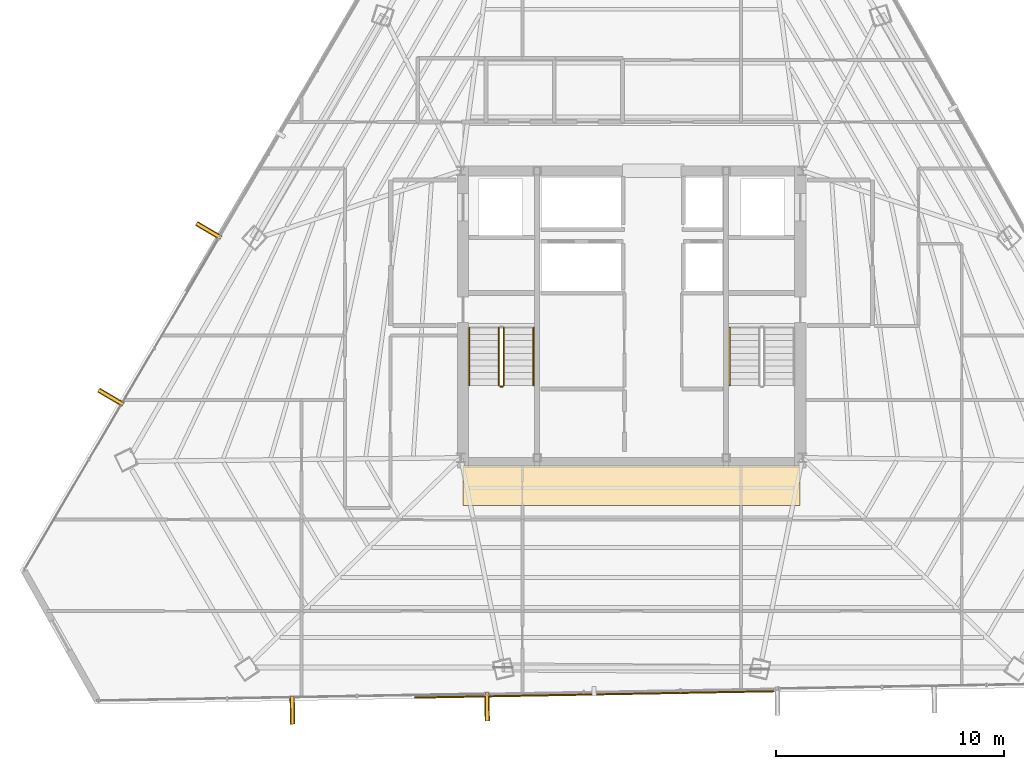
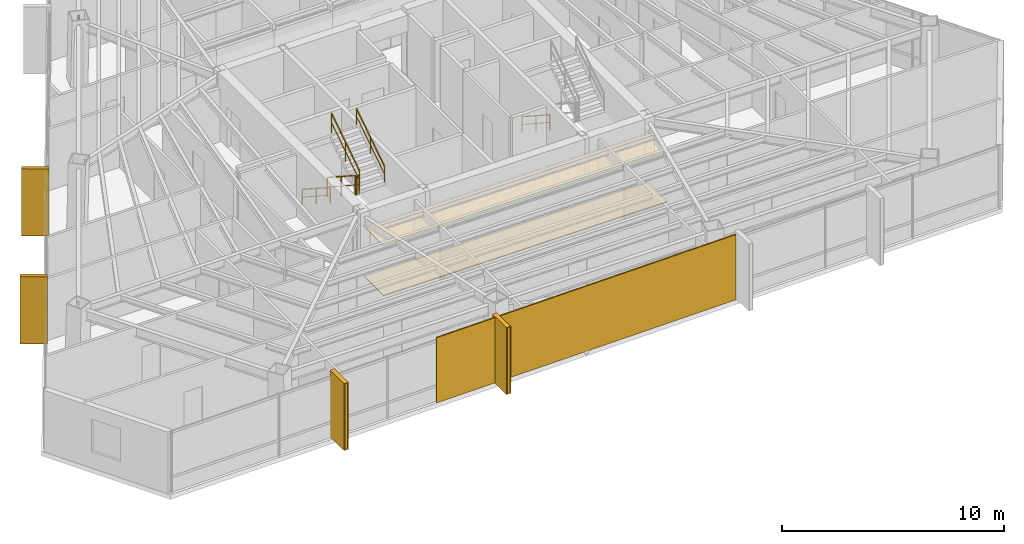
# One storey, part 39 of 42: 6 coverings, 6 railings, 5 shading devices.
"""IFC4 building model written with IfcOpenShell, lengths in metres."""

from ifc_helpers import new_model, si_unit, direction, frame, origin, origin_2d, place, context, subcontext, project, spatial, polyline, rectangle, outline, extrude, source, transform, mapped, material, layer, layer_set, type_object, type_shapes, element, save


model = new_model("IFC4")

# Units and contexts
model_context = context("Model", 3, precision=1e-05, world=origin(), true_north=direction((0.0, 1.0)))
body_context = subcontext(model_context, "Body", "Model", "MODEL_VIEW")
ifc_project = project(units=[si_unit("LENGTHUNIT", "METRE"), si_unit("AREAUNIT", "SQUARE_METRE"), si_unit("VOLUMEUNIT", "CUBIC_METRE"), si_unit("PLANEANGLEUNIT", "RADIAN"), si_unit("MASSUNIT", "GRAM", prefix="KILO")], contexts=[model_context])

# Site, building, storey
site_placement = place(None, origin())
site = spatial("IfcSite", under=ifc_project, at=site_placement, CompositionType="ELEMENT")
building_placement = place(site_placement, origin())
building = spatial("IfcBuilding", under=site, at=building_placement, Name="Caelisora Broadcast Tower", CompositionType="ELEMENT")
storey_placement = place(building_placement, frame((0.0, 0.0, 195.0)))
storey = spatial("IfcBuildingStorey", under=building, at=storey_placement, Name="L51", CompositionType="ELEMENT", Elevation=195.0)

# Coverings
ifc_material_1 = material(Name="Perforated Mineral-Fibre Acoustic Ceiling Tile", Category="gypsum")
ifc_layer_1 = layer(ifc_material_1, 0.034912109375, Name="Perforated Mineral-Fibre Acoustic Ceiling Tile")
ifc_layer_set_1 = layer_set([ifc_layer_1], Name="Perforated Mineral-Fibre Acoustic Ceiling Tile")
covering_type_1 = type_object("IfcCoveringType", Name="CE-1", PredefinedType="CEILING", material=ifc_layer_set_1)
covering_1_placement = place(storey_placement, frame((0.0, 0.0, 2.75)))
element("IfcCovering", 1, at=covering_1_placement, inside=storey, type_object=covering_type_1, Name="L51 acoustic corridor ceiling CE-1 (S)", PredefinedType="CEILING", context=body_context, shape_type="SweptSolid", body=[
    extrude(outline(polyline([(30.60009765625, 15.300048828125), (45.39990234375, 15.300048828125), (45.39990234375, 17.050048828125), (30.60009765625, 17.050048828125), (30.60009765625, 15.300048828125)])), origin(), (0.0, 0.0, 1.0), 0.034912109375),
])
ifc_material_2 = material(Name="Anti-Static Broadcast Raised Access Floor Panel", Category="steel")
ifc_layer_2 = layer(ifc_material_2, 0.044921875, Name="Anti-Static Broadcast Raised Access Floor Panel")
ifc_layer_set_2 = layer_set([ifc_layer_2], Name="Anti-Static Broadcast Raised Access Floor Panel")
covering_type_2 = type_object("IfcCoveringType", Name="FL-1", PredefinedType="FLOORING", material=ifc_layer_set_2)
covering_2_placement = place(storey_placement, origin())
element("IfcCovering", 2, at=covering_2_placement, inside=storey, type_object=covering_type_2, Name="L51 broadcast raised access floor FL-1 (S)", PredefinedType="FLOORING", context=body_context, shape_type="SweptSolid", body=[
    extrude(outline(polyline([(30.60009765625, 15.300048828125), (45.39990234375, 15.300048828125), (45.39990234375, 17.050048828125), (30.60009765625, 17.050048828125), (30.60009765625, 15.300048828125)])), origin(), (0.0, 0.0, 1.0), 0.044921875),
])

# Railings
ifc_material_3 = material(Name="Galvanised Steel Safety Guardrail", Category="steel")
ifc_layer_3 = layer(ifc_material_3, 0.048095703125, Name="Galvanised Steel Safety Guardrail")
ifc_layer_set_3 = layer_set([ifc_layer_3], Name="Galvanised Steel Safety Guardrail")
railing_type_1 = type_object("IfcRailingType", Name="GR-1", PredefinedType="GUARDRAIL", material=ifc_layer_set_3)
railing_1_placement = place(storey_placement, frame((32.169921875, 23.10009765625, 0.1826171875)))
element("IfcRailing", 3, at=railing_1_placement, inside=storey, type_object=railing_type_1, Name="L51 ST-1 stair guard 1", PredefinedType="GUARDRAIL", context=body_context, shape_type="SweptSolid", body=[
    extrude(rectangle(XDim=0.048095703125, YDim=0.048095703125, at=origin_2d()), frame((0.0, 0.0, 1.076171875), z_axis=(0.0, -0.837786554691, 0.545997883492), x_axis=(1.0, 0.0, 0.0)), (0.0, 0.0, 1.0), 3.008056640625),
    extrude(rectangle(XDim=0.03125, YDim=0.03125, at=origin_2d()), frame((0.0, 0.0, 0.550048828125), z_axis=(0.0, -0.837786554691, 0.545997883492), x_axis=(1.0, 0.0, 0.0)), (0.0, 0.0, 1.0), 3.008056640625),
    extrude(rectangle(XDim=0.0419921875, YDim=0.0419921875, at=origin_2d()), origin(), (0.0, 0.0, 1.0), 1.052001953125),
    extrude(rectangle(XDim=0.0419921875, YDim=0.0419921875, at=origin_2d()), frame((0.0, -1.260009765625, 0.8212890625)), (0.0, 0.0, 1.0), 1.052001953125),
    extrude(rectangle(XDim=0.0419921875, YDim=0.0419921875, at=origin_2d()), frame((0.0, -2.52001953125, 1.642333984375)), (0.0, 0.0, 1.0), 1.052001953125),
])
railing_2_placement = place(storey_placement, frame((32.219970703125, 20.530029296875, 1.824951171875)))
element("IfcRailing", 4, at=railing_2_placement, inside=storey, type_object=railing_type_1, Name="L51 ST-1 stair guard 2", PredefinedType="GUARDRAIL", context=body_context, shape_type="SweptSolid", body=[
    extrude(rectangle(XDim=0.048095703125, YDim=0.048095703125, at=origin_2d()), frame((0.0, 0.0, 1.076171875), z_axis=(1.0, 0.0, 0.0), x_axis=(0.0, 1.0, 0.0)), (0.0, 0.0, 1.0), 0.1201171875),
    extrude(rectangle(XDim=0.03125, YDim=0.03125, at=origin_2d()), frame((0.0, 0.0, 0.550048828125), z_axis=(1.0, 0.0, 0.0), x_axis=(0.0, 1.0, 0.0)), (0.0, 0.0, 1.0), 0.1201171875),
    extrude(rectangle(XDim=0.0419921875, YDim=0.0419921875, at=origin_2d()), origin(), (0.0, 0.0, 1.0), 1.052001953125),
    extrude(rectangle(XDim=0.0419921875, YDim=0.0419921875, at=origin_2d()), frame((0.1201171875, 0.0, 0.0)), (0.0, 0.0, 1.0), 1.052001953125),
])
railing_3_placement = place(storey_placement, frame((32.389892578125, 20.580078125, 2.007568359375)))
element("IfcRailing", 5, at=railing_3_placement, inside=storey, type_object=railing_type_1, Name="L51 ST-1 stair guard 3", PredefinedType="GUARDRAIL", context=body_context, shape_type="SweptSolid", body=[
    extrude(rectangle(XDim=0.048095703125, YDim=0.048095703125, at=origin_2d()), frame((0.0, 0.0, 1.076171875), z_axis=(0.0, 0.837786554691, 0.545997883492), x_axis=(-1.0, 0.0, 0.0)), (0.0, 0.0, 1.0), 3.008056640625),
    extrude(rectangle(XDim=0.03125, YDim=0.03125, at=origin_2d()), frame((0.0, 0.0, 0.550048828125), z_axis=(0.0, 0.837786554691, 0.545997883492), x_axis=(-1.0, 0.0, 0.0)), (0.0, 0.0, 1.0), 3.008056640625),
    extrude(rectangle(XDim=0.0419921875, YDim=0.0419921875, at=origin_2d()), origin(), (0.0, 0.0, 1.0), 1.052001953125),
    extrude(rectangle(XDim=0.0419921875, YDim=0.0419921875, at=origin_2d()), frame((0.0, 1.260009765625, 0.8212890625)), (0.0, 0.0, 1.0), 1.052001953125),
    extrude(rectangle(XDim=0.0419921875, YDim=0.0419921875, at=origin_2d()), frame((0.0, 2.52001953125, 1.642333984375)), (0.0, 0.0, 1.0), 1.052001953125),
])
ifc_material_4 = material(Name="Stainless Steel Grade 316 Tubular Handrail", Category="steel")
ifc_layer_4 = layer(ifc_material_4, 0.048095703125, Name="Stainless Steel Grade 316 Tubular Handrail")
ifc_layer_set_4 = layer_set([ifc_layer_4], Name="Stainless Steel Grade 316 Tubular Handrail")
railing_type_2 = type_object("IfcRailingType", Name="HR-1", PredefinedType="HANDRAIL", material=ifc_layer_set_4)
railing_4_placement = place(storey_placement, frame((30.8701171875, 23.10009765625, 0.1826171875)))
element("IfcRailing", 6, at=railing_4_placement, inside=storey, type_object=railing_type_2, Name="L51 ST-1 stair handrail 1", PredefinedType="HANDRAIL", context=body_context, shape_type="SweptSolid", body=[
    extrude(rectangle(XDim=0.048095703125, YDim=0.048095703125, at=origin_2d()), frame((0.0, 0.0, 0.8759765625), z_axis=(0.0, -0.837786554691, 0.545997883492), x_axis=(1.0, 0.0, 0.0)), (0.0, 0.0, 1.0), 3.008056640625),
    extrude(rectangle(XDim=0.03125, YDim=0.03125, at=origin_2d()), frame((0.0, 0.0, 0.449951171875), z_axis=(0.0, -0.837786554691, 0.545997883492), x_axis=(1.0, 0.0, 0.0)), (0.0, 0.0, 1.0), 3.008056640625),
    extrude(rectangle(XDim=0.0419921875, YDim=0.0419921875, at=origin_2d()), origin(), (0.0, 0.0, 1.0), 0.851806640625),
    extrude(rectangle(XDim=0.0419921875, YDim=0.0419921875, at=origin_2d()), frame((0.0, -1.260009765625, 0.8212890625)), (0.0, 0.0, 1.0), 0.851806640625),
    extrude(rectangle(XDim=0.0419921875, YDim=0.0419921875, at=origin_2d()), frame((0.0, -2.52001953125, 1.642333984375)), (0.0, 0.0, 1.0), 0.851806640625),
])
railing_5_placement = place(storey_placement, frame((33.68994140625, 20.580078125, 2.007568359375)))
element("IfcRailing", 7, at=railing_5_placement, inside=storey, type_object=railing_type_2, Name="L51 ST-1 stair handrail 2", PredefinedType="HANDRAIL", context=body_context, shape_type="SweptSolid", body=[
    extrude(rectangle(XDim=0.048095703125, YDim=0.048095703125, at=origin_2d()), frame((0.0, 0.0, 0.8759765625), z_axis=(0.0, 0.837786554691, 0.545997883492), x_axis=(-1.0, 0.0, 0.0)), (0.0, 0.0, 1.0), 3.008056640625),
    extrude(rectangle(XDim=0.03125, YDim=0.03125, at=origin_2d()), frame((0.0, 0.0, 0.449951171875), z_axis=(0.0, 0.837786554691, 0.545997883492), x_axis=(-1.0, 0.0, 0.0)), (0.0, 0.0, 1.0), 3.008056640625),
    extrude(rectangle(XDim=0.0419921875, YDim=0.0419921875, at=origin_2d()), origin(), (0.0, 0.0, 1.0), 0.851806640625),
    extrude(rectangle(XDim=0.0419921875, YDim=0.0419921875, at=origin_2d()), frame((0.0, 1.260009765625, 0.8212890625)), (0.0, 0.0, 1.0), 0.851806640625),
    extrude(rectangle(XDim=0.0419921875, YDim=0.0419921875, at=origin_2d()), frame((0.0, 2.52001953125, 1.642333984375)), (0.0, 0.0, 1.0), 0.851806640625),
])
railing_6_placement = place(storey_placement, frame((42.31005859375, 23.10009765625, 0.1826171875)))
element("IfcRailing", 8, at=railing_6_placement, inside=storey, type_object=railing_type_2, Name="L51 ST-2 stair handrail 1", PredefinedType="HANDRAIL", context=body_context, shape_type="SweptSolid", body=[
    extrude(rectangle(XDim=0.048095703125, YDim=0.048095703125, at=origin_2d()), frame((0.0, 0.0, 0.8759765625), z_axis=(0.0, -0.837786554691, 0.545997883492), x_axis=(1.0, 0.0, 0.0)), (0.0, 0.0, 1.0), 3.008056640625),
    extrude(rectangle(XDim=0.03125, YDim=0.03125, at=origin_2d()), frame((0.0, 0.0, 0.449951171875), z_axis=(0.0, -0.837786554691, 0.545997883492), x_axis=(1.0, 0.0, 0.0)), (0.0, 0.0, 1.0), 3.008056640625),
    extrude(rectangle(XDim=0.0419921875, YDim=0.0419921875, at=origin_2d()), origin(), (0.0, 0.0, 1.0), 0.851806640625),
    extrude(rectangle(XDim=0.0419921875, YDim=0.0419921875, at=origin_2d()), frame((0.0, -1.260009765625, 0.8212890625)), (0.0, 0.0, 1.0), 0.851806640625),
    extrude(rectangle(XDim=0.0419921875, YDim=0.0419921875, at=origin_2d()), frame((0.0, -2.52001953125, 1.642333984375)), (0.0, 0.0, 1.0), 0.851806640625),
])

# Coverings
ifc_material_5 = material(Name="Kiln-Fired Terracotta Spandrel Rainscreen Cladding", Category="ceramic")
ifc_layer_5 = layer(ifc_material_5, 0.044921875, Name="Kiln-Fired Terracotta Spandrel Rainscreen Cladding")
ifc_layer_set_5 = layer_set([ifc_layer_5], Name="Kiln-Fired Terracotta Spandrel Rainscreen Cladding")
covering_type_3 = type_object("IfcCoveringType", Name="CL-1", PredefinedType="CLADDING", material=ifc_layer_set_5)
shared_shape_1 = source(origin(), body_context, "Body", "SweptSolid", [
    extrude(rectangle(XDim=0.219970703125, YDim=1.25, at=origin_2d()), origin(), (0.0, 0.0, 1.0), 3.68994140625),
])
type_shapes(covering_type_3, [shared_shape_1])
for number, where, z_axis, x_axis, name in (
    (9, (31.64990234375, 6.469970703125, -0.02001953125), (0.0, 0.0, 1.0), (-0.999844633908, -0.017626912514, 0.0), "L51 vertical solar fin cladding #2-3"),
    (10, (23.097900390625, 6.318603515625, -0.02001953125), (0.0, 0.0, 1.0), (-0.999844633908, -0.017626912514, 0.0), "L51 vertical solar fin cladding #2-4"),
    (11, (15.122314453125, 20.05810546875, -0.02001953125), (0.0, 0.0, 1.0), (0.506334807353, 0.862336977557, 0.0), "L51 vertical solar fin cladding #3-1"),
    (12, (19.420166015625, 27.37744140625, -0.02001953125), (0.0, 0.0, 1.0), (0.506334807353, 0.862336977557, 0.0), "L51 vertical solar fin cladding #3-2"),
):
    element("IfcCovering", number, at=place(storey_placement, frame(where, z_axis=z_axis, x_axis=x_axis)), inside=storey, type_object=covering_type_3, Name=name, PredefinedType="CLADDING", context=body_context, shape_type="MappedRepresentation", body=[
        mapped(shared_shape_1, transform((0.0, 0.0, 0.0), scale=1.0)),
    ])

# Shading devices
ifc_material_6 = material(Name="Extruded Terracotta Flaring Colonnade Fin", Category="ceramic")
ifc_layer_6 = layer(ifc_material_6, 0.139892578125, Name="Extruded Terracotta Flaring Colonnade Fin")
ifc_layer_set_6 = layer_set([ifc_layer_6], Name="Extruded Terracotta Flaring Colonnade Fin")
shading_device_type_1 = type_object("IfcShadingDeviceType", Name="FN-1", PredefinedType="USERDEFINED", material=ifc_layer_set_6)
shared_shape_2 = source(origin(), body_context, "Body", "SweptSolid", [
    extrude(rectangle(XDim=0.139892578125, YDim=1.25, at=origin_2d()), origin(), (0.0, 0.0, 1.0), 3.669921875),
])
type_shapes(shading_device_type_1, [shared_shape_2])
for number, where, z_axis, x_axis, name in (
    (13, (31.64990234375, 6.469970703125, -0.010009765625), (0.0, 0.0, 1.0), (-0.999844633908, -0.017626912514, 0.0), "L51 vertical terracotta fin #2-3"),
    (14, (23.097900390625, 6.318603515625, -0.010009765625), (0.0, 0.0, 1.0), (-0.999844633908, -0.017626912514, 0.0), "L51 vertical terracotta fin #2-4"),
    (15, (15.122314453125, 20.05810546875, -0.010009765625), (0.0, 0.0, 1.0), (0.506334807353, 0.862336977557, 0.0), "L51 vertical terracotta fin #3-1"),
    (16, (19.420166015625, 27.37744140625, -0.010009765625), (0.0, 0.0, 1.0), (0.506334807353, 0.862336977557, 0.0), "L51 vertical terracotta fin #3-2"),
):
    element("IfcShadingDevice", number, at=place(storey_placement, frame(where, z_axis=z_axis, x_axis=x_axis)), inside=storey, type_object=shading_device_type_1, Name=name, ObjectType="FIN", PredefinedType="USERDEFINED", context=body_context, shape_type="MappedRepresentation", body=[
        mapped(shared_shape_2, transform((0.0, 0.0, 0.0), scale=1.0)),
    ])
ifc_material_7 = material(Name="Perforated Glazed Terracotta Baguette Solar Screen", Category="ceramic")
ifc_layer_7 = layer(ifc_material_7, 0.06494140625, Name="Perforated Glazed Terracotta Baguette Solar Screen")
ifc_layer_set_7 = layer_set([ifc_layer_7], Name="Perforated Glazed Terracotta Baguette Solar Screen")
shading_device_type_2 = type_object("IfcShadingDeviceType", Name="SS-1", PredefinedType="USERDEFINED", material=ifc_layer_set_7)
shared_shape_3 = source(origin(), body_context, "Body", "SweptSolid", [
    extrude(rectangle(XDim=15.77587890625, YDim=0.06494140625, at=origin_2d()), origin(), (0.0, 0.0, 1.0), 3.590087890625),
])
type_shapes(shading_device_type_2, [shared_shape_3])
shading_device_placement = place(storey_placement, frame((36.355712890625, 7.00341796875, 0.0), z_axis=(0.0, 0.0, 1.0), x_axis=(0.999841542203, 0.017801418053, 0.0)))
element("IfcShadingDevice", 17, at=shading_device_placement, inside=storey, type_object=shading_device_type_2, Name="L51 perforated terracotta solar screen #2", ObjectType="SOLAR SCREEN", PredefinedType="USERDEFINED", context=body_context, shape_type="MappedRepresentation", body=[
    mapped(shared_shape_3, transform((0.0, 0.0, 0.0), scale=1.0)),
])

save(model, "model.ifc")
